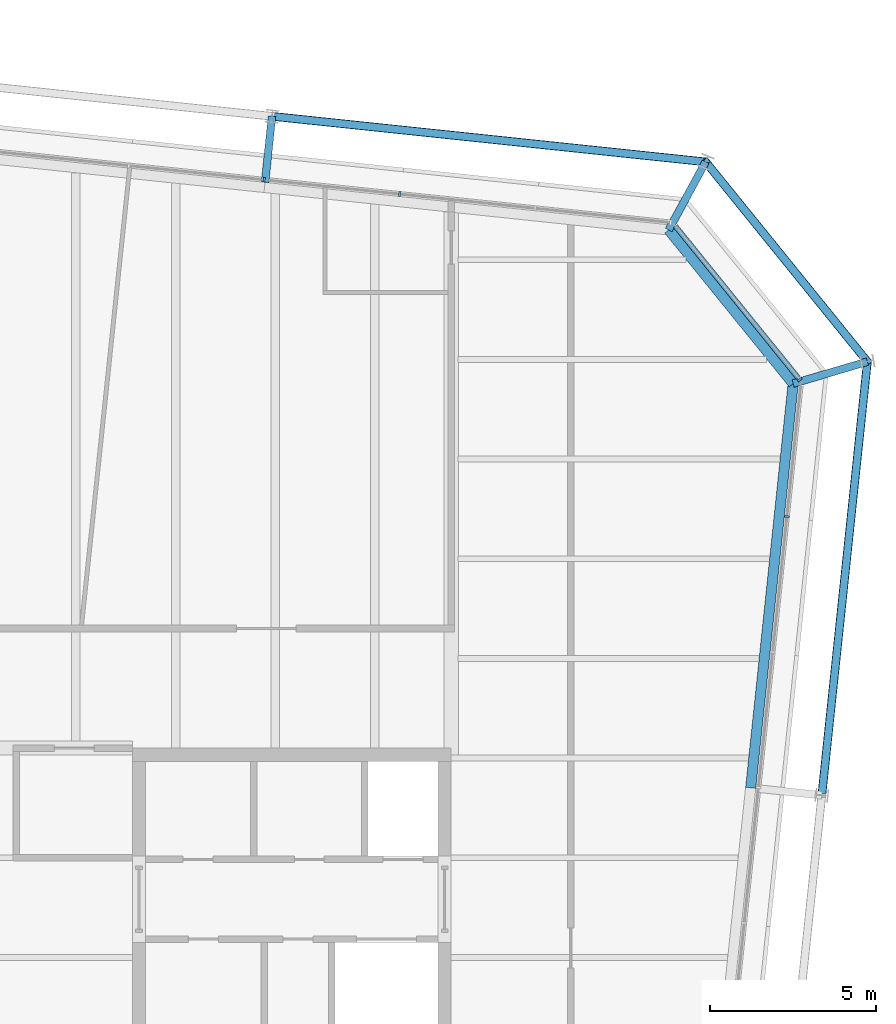
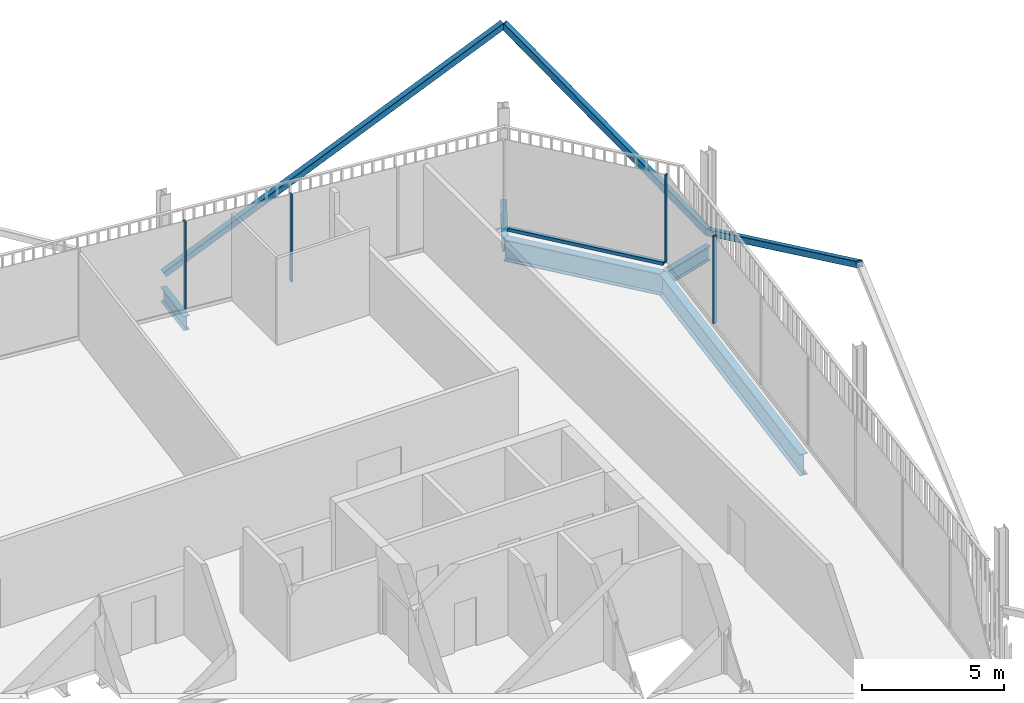
# One storey, part 15 of 21: 8 members, 5 beams, 3 elements without a shape of their own.
"""IFC4 building model written with IfcOpenShell, lengths in metres."""

from ifc_helpers import new_model, si_unit, direction, frame, origin, origin_2d, place, context, subcontext, project, spatial, rectangle, hollow_rectangle, i_section, extrude, material, layer, layer_set, material_profile, profile_set, type_object, element, aggregate, save


model = new_model("IFC4")

# Units and contexts
model_context = context("Model", 3, precision=1e-05, world=origin(), true_north=direction((0.0, 1.0)))
body_context = subcontext(model_context, "Body", "Model", "MODEL_VIEW")
ifc_project = project(units=[si_unit("LENGTHUNIT", "METRE"), si_unit("AREAUNIT", "SQUARE_METRE"), si_unit("VOLUMEUNIT", "CUBIC_METRE"), si_unit("PLANEANGLEUNIT", "RADIAN"), si_unit("MASSUNIT", "GRAM", prefix="KILO")], contexts=[model_context])

# Site, building, storey
site_placement = place(None, origin())
site = spatial("IfcSite", under=ifc_project, at=site_placement, CompositionType="ELEMENT")
building_placement = place(site_placement, origin())
building = spatial("IfcBuilding", under=site, at=building_placement, Name="Millrace Tower", CompositionType="ELEMENT")
storey_placement = place(building_placement, frame((0.0, 0.0, 291.60009765625)))
storey = spatial("IfcBuildingStorey", under=building, at=storey_placement, Name="L67", CompositionType="ELEMENT", Elevation=291.60009765625)

# Curtain wall, member
ifc_material_1 = material(Name="Aluminium and glass", Category="aluminium")
ifc_layer = layer(ifc_material_1, 0.14990234375)
ifc_layer_set = layer_set([ifc_layer], Name="Aluminium and glass")
curtain_wall_type = type_object("IfcCurtainWallType", Name="CW-1 office vision curtain wall", PredefinedType="NOTDEFINED", material=ifc_layer_set)
placement = place(storey_placement, origin())
curtain_wall_1 = element("IfcCurtainWall", 1, at=placement, inside=storey, type_object=curtain_wall_type, Name="Curtain wall E-F04 L67", PredefinedType="NOTDEFINED")
ifc_material_2 = material(Name="Aluminium", Category="aluminium")
ifc_material_profile_1 = material_profile(ifc_material_2, rectangle(XDim=0.06494140625, YDim=0.14990234375, at=origin_2d()))
ifc_profile_set_1 = profile_set([ifc_material_profile_1], Name="Aluminium")
member_type_1 = type_object("IfcMemberType", Name="CW-1 office vision curtain wall mullion", PredefinedType="MULLION", material=ifc_profile_set_1)
member_1_placement = place(storey_placement, frame((24.4033203125, 16.267822265625, 0.139892578125), z_axis=(0.0, 0.0, 1.0), x_axis=(0.104528455196, 0.994521896217, 0.0)))
member_1 = element("IfcMember", 2, at=member_1_placement, type_object=member_type_1, Name="CW1 mullion E-F04.9", PredefinedType="MULLION", context=body_context, shape_type="SweptSolid", body=[
    extrude(rectangle(XDim=0.06494140625, YDim=0.14990234375, at=origin_2d()), origin(), (0.0, 0.0, 1.0), 3.760009765625),
])
aggregate(curtain_wall_1, [member_1])

curtain_wall_2 = element("IfcCurtainWall", 3, at=placement, inside=storey, type_object=curtain_wall_type, Name="Curtain wall E-F05 L67", PredefinedType="NOTDEFINED")
member_2_placement = place(storey_placement, frame((24.791748046875, 20.393310546875, 0.139892578125), z_axis=(0.0, 0.0, 1.0), x_axis=(-0.629320278945, 0.777146052237, 0.0)))
member_2 = element("IfcMember", 4, at=member_2_placement, type_object=member_type_1, Name="CW1 mullion E-F05.1", PredefinedType="MULLION", context=body_context, shape_type="SweptSolid", body=[
    extrude(rectangle(XDim=0.06494140625, YDim=0.14990234375, at=origin_2d()), origin(), (0.0, 0.0, 1.0), 3.760009765625),
])

# Curtain wall, members
curtain_wall_3 = element("IfcCurtainWall", 5, at=placement, inside=storey, type_object=curtain_wall_type, Name="Curtain wall E-F06 L67", PredefinedType="NOTDEFINED")
member_3_placement = place(storey_placement, frame((12.747314453125, 25.98193359375, 0.139892578125), z_axis=(0.0, 0.0, 1.0), x_axis=(-0.994521896217, 0.104528455196, 0.0)))
member_3 = element("IfcMember", 6, at=member_3_placement, type_object=member_type_1, Name="CW1 mullion E-F06.3", PredefinedType="MULLION", context=body_context, shape_type="SweptSolid", body=[
    extrude(rectangle(XDim=0.06494140625, YDim=0.14990234375, at=origin_2d()), origin(), (0.0, 0.0, 1.0), 3.760009765625),
])
member_4_placement = place(storey_placement, frame((8.669921875, 26.410400390625, 0.139892578125), z_axis=(0.0, 0.0, 1.0), x_axis=(-0.994521896217, 0.104528455196, 0.0)))
member_4 = element("IfcMember", 7, at=member_4_placement, type_object=member_type_1, Name="CW1 mullion E-F06.4", PredefinedType="MULLION", context=body_context, shape_type="SweptSolid", body=[
    extrude(rectangle(XDim=0.06494140625, YDim=0.14990234375, at=origin_2d()), origin(), (0.0, 0.0, 1.0), 3.760009765625),
])
aggregate(curtain_wall_3, [member_3, member_4])

# Member
ifc_material_3 = material(Name="Aluminium", Category="aluminium")
ifc_material_profile_2 = material_profile(ifc_material_3, rectangle(XDim=0.14990234375, YDim=0.139892578125, at=origin_2d()))
ifc_profile_set_2 = profile_set([ifc_material_profile_2], Name="Aluminium")
member_type_2 = type_object("IfcMemberType", Name="CW-1 office vision curtain wall transom", PredefinedType="USERDEFINED", material=ifc_profile_set_2)
member_5_placement = place(storey_placement, frame((24.749267578125, 20.44580078125, 0.06982421875), z_axis=(-0.629321221277, 0.777145289151, 0.0), x_axis=(-0.777145289151, -0.629321221277, 0.0)))
member_5 = element("IfcMember", 8, at=member_5_placement, type_object=member_type_2, Name="CW1 transom E-F05.1", ObjectType="TRANSOM", PredefinedType="USERDEFINED", context=body_context, shape_type="SweptSolid", body=[
    extrude(rectangle(XDim=0.14990234375, YDim=0.139892578125, at=origin_2d()), origin(), (0.0, 0.0, 1.0), 5.881103515625),
])

aggregate(curtain_wall_2, [member_2, member_5])

# Members
ifc_material_4 = material(Name="Steel ASTM A500 Grade C", Category="steel")
ifc_material_profile_3 = material_profile(ifc_material_4, hollow_rectangle(XDim=0.25390625, YDim=0.25390625, WallThickness=0.0126953125, InnerFilletRadius=0.00634765625, OuterFilletRadius=0.01904296875, at=origin_2d()))
ifc_profile_set_3 = profile_set([ifc_material_profile_3], Name="Steel ASTM A500 Grade C")
member_type_3 = type_object("IfcMemberType", Name="Exoskeleton brace HSS10x10x1/2", PredefinedType="BRACE", material=ifc_profile_set_3)
member_6_placement = place(storey_placement, frame((26.82958984375, 20.935791015625, 0.39990234375), z_axis=(-0.092236950483, -0.877571982182, 0.470488853274), x_axis=(0.994521846076, -0.104528932251, 0.0)))
element("IfcMember", 9, at=member_6_placement, inside=storey, type_object=member_type_3, Name="BRC-E-L67-08", PredefinedType="BRACE", context=body_context, shape_type="SweptSolid", body=[
    extrude(hollow_rectangle(XDim=0.25390625, YDim=0.25390625, WallThickness=0.0126953125, InnerFilletRadius=0.00634765625, OuterFilletRadius=0.01904296875, at=origin_2d()), origin(), (0.0, 0.0, 1.0), 14.878173828125),
])
member_7_placement = place(storey_placement, frame((26.82958984375, 20.935791015625, 0.39990234375), z_axis=(-0.466694392708, 0.57631352586, 0.670864415308), x_axis=(-0.777142728993, -0.62932438279, 0.0)))
element("IfcMember", 10, at=member_7_placement, inside=storey, type_object=member_type_3, Name="BRC-E-L67-09", PredefinedType="BRACE", context=body_context, shape_type="SweptSolid", body=[
    extrude(hollow_rectangle(XDim=0.25390625, YDim=0.25390625, WallThickness=0.0126953125, InnerFilletRadius=0.00634765625, OuterFilletRadius=0.01904296875, at=origin_2d()), origin(), (0.0, 0.0, 1.0), 10.434326171875),
])
member_8_placement = place(storey_placement, frame((8.9033203125, 28.321533203125, 0.39990234375), z_axis=(0.877571982182, -0.092236950483, 0.470488853274), x_axis=(0.104528932251, 0.994521846076, 0.0)))
element("IfcMember", 11, at=member_8_placement, inside=storey, type_object=member_type_3, Name="BRC-E-L67-10", PredefinedType="BRACE", context=body_context, shape_type="SweptSolid", body=[
    extrude(hollow_rectangle(XDim=0.25390625, YDim=0.25390625, WallThickness=0.0126953125, InnerFilletRadius=0.00634765625, OuterFilletRadius=0.01904296875, at=origin_2d()), origin(), (0.0, 0.0, 1.0), 14.878173828125),
])

# Beams
ifc_material_5 = material(Name="Steel ASTM A992 Grade 50", Category="steel")
ifc_material_profile_4 = material_profile(ifc_material_5, i_section(OverallWidth=0.23046875, OverallDepth=0.6171875, WebThickness=0.01318359375, FlangeThickness=0.022216796875, FilletRadius=0.012939453125, at=origin_2d()))
ifc_profile_set_4 = profile_set([ifc_material_profile_4], Name="Steel ASTM A992 Grade 50")
beam_type_1 = type_object("IfcBeamType", Name="Link beam W24x94", PredefinedType="BEAM", material=ifc_profile_set_4)
beam_1_placement = place(storey_placement, frame((8.6943359375, 26.33251953125, -0.46875), z_axis=(0.104494148666, 0.99452550138, 0.0), x_axis=(-0.99452550138, 0.104494148666, 0.0)))
element("IfcBeam", 12, at=beam_1_placement, inside=storey, type_object=beam_type_1, Name="LNK-E-L67-S1-07", PredefinedType="BEAM", context=body_context, shape_type="SweptSolid", body=[
    extrude(i_section(OverallWidth=0.23046875, OverallDepth=0.6171875, WebThickness=0.01318359375, FlangeThickness=0.022216796875, FilletRadius=0.012939453125, at=origin_2d()), origin(), (0.0, 0.0, 1.0), 2.0),
])
for number, where, z_axis, x_axis, name in (
    (13, (20.84765625, 24.900634765625, -0.46875), (0.477163510307, 0.87881453358, 0.0), (-0.87881453358, 0.477163510307, 0.0), "LNK-E-L67-S1-08"),
    (14, (24.594482421875, 20.273681640625, -0.46875), (0.958815015936, 0.284031275065, 0.0), (-0.284031275065, 0.958815015936, 0.0), "LNK-E-L67-S1-09"),
):
    element("IfcBeam", number, at=place(storey_placement, frame(where, z_axis=z_axis, x_axis=x_axis)), inside=storey, type_object=beam_type_1, Name=name, PredefinedType="BEAM", context=body_context, shape_type="SweptSolid", body=[
        extrude(i_section(OverallWidth=0.23046875, OverallDepth=0.6171875, WebThickness=0.01318359375, FlangeThickness=0.022216796875, FilletRadius=0.012939453125, at=origin_2d()), origin(), (0.0, 0.0, 1.0), 2.3310546875),
    ])
ifc_material_6 = material(Name="Steel ASTM A992 Grade 50", Category="steel")
ifc_material_profile_5 = material_profile(ifc_material_6, i_section(OverallWidth=0.307373046875, OverallDepth=0.927001953125, WebThickness=0.01953125, FlangeThickness=0.031982421875, FilletRadius=0.01904296875, at=origin_2d()))
ifc_profile_set_5 = profile_set([ifc_material_profile_5], Name="Steel ASTM A992 Grade 50")
beam_type_2 = type_object("IfcBeamType", Name="Ring beam medium span W36x194", PredefinedType="SPANDREL", material=ifc_profile_set_5)
beam_2_placement = place(storey_placement, frame((24.594482421875, 20.273681640625, -0.62353515625), z_axis=(-0.104527955888, -0.994521948696, 0.0), x_axis=(0.994521948696, -0.104527955888, 0.0)))
element("IfcBeam", 15, at=beam_2_placement, inside=storey, type_object=beam_type_2, Name="RNG-E-L67-S1-09", PredefinedType="SPANDREL", context=body_context, shape_type="SweptSolid", body=[
    extrude(i_section(OverallWidth=0.307373046875, OverallDepth=0.927001953125, WebThickness=0.01953125, FlangeThickness=0.031982421875, FilletRadius=0.01904296875, at=origin_2d()), origin(), (0.0, 0.0, 1.0), 12.236572265625),
])
ifc_material_7 = material(Name="Steel ASTM A992 Grade 50", Category="steel")
ifc_material_profile_6 = material_profile(ifc_material_7, i_section(OverallWidth=0.307373046875, OverallDepth=0.927001953125, WebThickness=0.01953125, FlangeThickness=0.031982421875, FilletRadius=0.01904296875, at=origin_2d()))
ifc_profile_set_6 = profile_set([ifc_material_profile_6], Name="Steel ASTM A992 Grade 50")
beam_type_3 = type_object("IfcBeamType", Name="Ring beam short span W36x194", PredefinedType="SPANDREL", material=ifc_profile_set_6)
beam_3_placement = place(storey_placement, frame((20.84765625, 24.900634765625, -0.62353515625), z_axis=(0.629319722443, -0.777146502883, 0.0), x_axis=(0.777146502883, 0.629319722443, 0.0)))
element("IfcBeam", 16, at=beam_3_placement, inside=storey, type_object=beam_type_3, Name="RNG-E-L67-S1-08", PredefinedType="SPANDREL", context=body_context, shape_type="SweptSolid", body=[
    extrude(i_section(OverallWidth=0.307373046875, OverallDepth=0.927001953125, WebThickness=0.01953125, FlangeThickness=0.031982421875, FilletRadius=0.01904296875, at=origin_2d()), origin(), (0.0, 0.0, 1.0), 5.953857421875),
])

save(model, "model.ifc")
